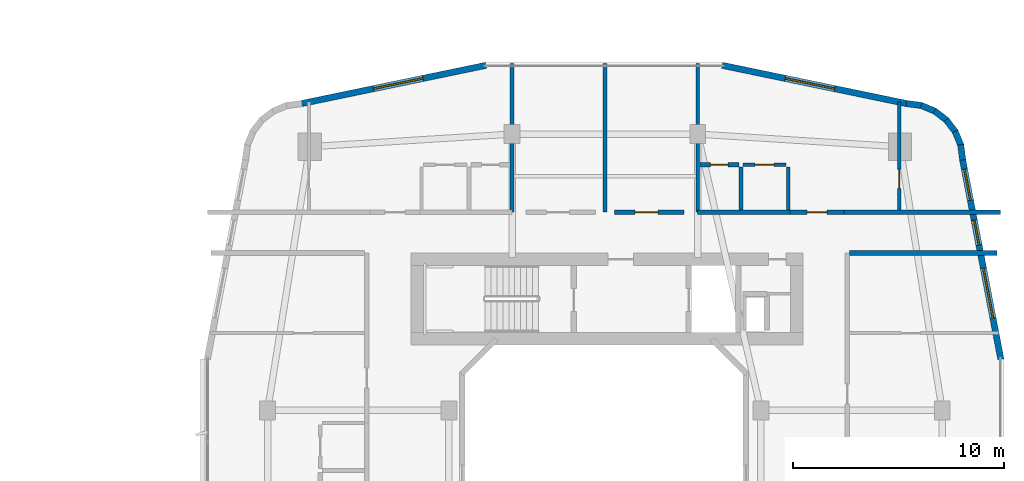
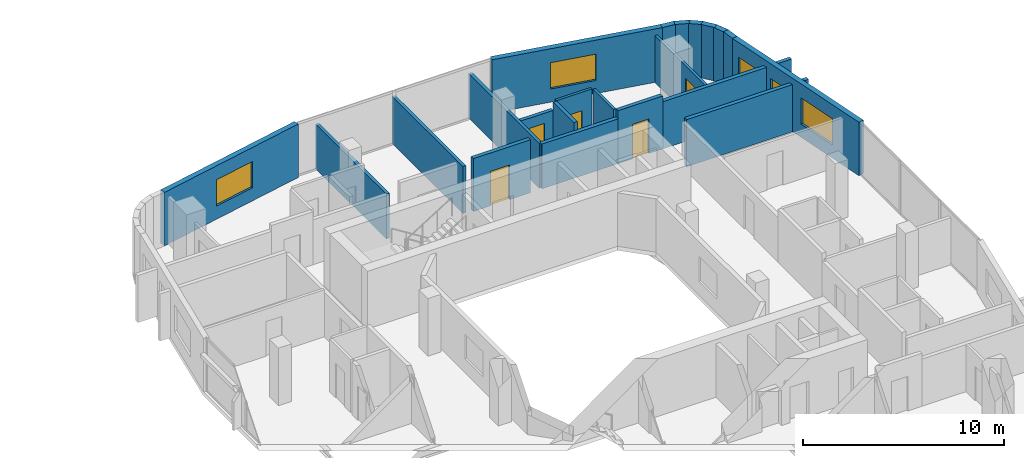
# One storey, part 21 of 27: 22 walls, 5 doors, 5 windows, 10 openings.
"""IFC4 building model written with IfcOpenShell, lengths in metres."""

from ifc_helpers import new_model, si_unit, derived_unit, direction, frame, frame_2d, origin, place, context, subcontext, project, spatial, rectangle, extrude, material, layer, layer_set, type_object, element, fill, save


model = new_model("IFC4")

# Units and contexts
model_context = context("Model", 3, precision=1e-05, world=origin(), true_north=direction((0.0, 1.0)))
body_context = subcontext(model_context, "Body", "Model", "MODEL_VIEW")
ifc_project = project(units=[si_unit("LENGTHUNIT", "METRE"), si_unit("AREAUNIT", "SQUARE_METRE"), si_unit("VOLUMEUNIT", "CUBIC_METRE"), si_unit("PLANEANGLEUNIT", "RADIAN"), si_unit("MASSUNIT", "GRAM", prefix="KILO"), derived_unit("THERMALTRANSMITTANCEUNIT", [(si_unit("POWERUNIT", "WATT"), 1), (si_unit("LENGTHUNIT", "METRE"), -2), (si_unit("THERMODYNAMICTEMPERATUREUNIT", "KELVIN"), -1)])], contexts=[model_context])

# Site, building, storey
site_placement = place(None, origin())
site = spatial("IfcSite", under=ifc_project, at=site_placement, CompositionType="ELEMENT")
building_placement = place(site_placement, origin())
building = spatial("IfcBuilding", under=site, at=building_placement, Name="Kivonza Crest Hotel", CompositionType="ELEMENT")
storey_placement = place(building_placement, frame((0.0, 0.0, 41.5)))
storey = spatial("IfcBuildingStorey", under=building, at=storey_placement, Name="L10", CompositionType="ELEMENT", Elevation=41.5)

# Walls
ifc_material_1 = material(Name="High-density acoustic masonry inter-tenancy wall", Category="masonry")
ifc_layer_1 = layer(ifc_material_1, 0.179931640625)
ifc_layer_set_1 = layer_set([ifc_layer_1], Name="High-density acoustic masonry inter-tenancy wall")
wall_type_1 = type_object("IfcWallType", Name="WL-ACOU-180", PredefinedType="SOLIDWALL", material=ifc_layer_set_1)
wall_1_placement = place(storey_placement, frame((72.60009765625, 37.89990234375, 0.0), z_axis=(0.0, 0.0, 1.0), x_axis=(0.0, 1.0, 0.0)))
element("IfcWall", 1, at=wall_1_placement, inside=storey, type_object=wall_type_1, Name="L10 interior partition WA-L10-T2N-DIV1", PredefinedType="SOLIDWALL", context=body_context, shape_type="SweptSolid", body=[
    extrude(rectangle(XDim=7.0400390625, YDim=0.179931640625, at=frame_2d((3.52001953125, 0.0))), origin(), (0.0, 0.0, 1.0), 2.72509765625),
])
wall_2_placement = place(storey_placement, frame((77.0, 37.89990234375, 0.0), z_axis=(0.0, 0.0, 1.0), x_axis=(0.0, 1.0, 0.0)))
element("IfcWall", 2, at=wall_2_placement, inside=storey, type_object=wall_type_1, Name="L10 interior partition WA-L10-T2N-OFFDIV", PredefinedType="SOLIDWALL", context=body_context, shape_type="SweptSolid", body=[
    extrude(rectangle(XDim=7.0400390625, YDim=0.179931640625, at=frame_2d((3.52001953125, 0.0))), origin(), (0.0, 0.0, 1.0), 2.864990234375),
])
wall_3_placement = place(storey_placement, frame((81.39990234375, 37.89990234375, 0.0), z_axis=(0.0, 0.0, 1.0), x_axis=(0.0, 1.0, 0.0)))
element("IfcWall", 3, at=wall_3_placement, inside=storey, type_object=wall_type_1, Name="L10 interior partition WA-L10-T2N-DIV2", PredefinedType="SOLIDWALL", context=body_context, shape_type="SweptSolid", body=[
    extrude(rectangle(XDim=7.0400390625, YDim=0.179931640625, at=frame_2d((3.52001953125, 0.0))), origin(), (0.0, 0.0, 1.0), 2.72509765625),
])

# Wall, opening, door
ifc_material_2 = material(Name="Autoclaved aerated concrete blockwork", Category="masonry")
ifc_layer_2 = layer(ifc_material_2, 0.219970703125)
ifc_layer_set_2 = layer_set([ifc_layer_2], Name="Autoclaved aerated concrete blockwork")
wall_type_2 = type_object("IfcWallType", Name="WL-ACOU-220", PredefinedType="SOLIDWALL", material=ifc_layer_set_2)
wall_4_placement = place(storey_placement, frame((77.449951171875, 37.89990234375, 0.0), z_axis=(0.0, 0.0, 1.0), x_axis=(1.0, 0.0, 0.0)))
wall_4 = element("IfcWall", 4, at=wall_4_placement, inside=storey, type_object=wall_type_2, Name="L10 interior partition WA-L10-T2-OFF2-S", PredefinedType="SOLIDWALL", context=body_context, shape_type="SweptSolid", body=[
    extrude(rectangle(XDim=3.300048828125, YDim=0.219970703125, at=frame_2d((1.64990234375, 0.0))), origin(), (0.0, 0.0, 1.0), 3.219970703125),
])
opening_1_placement = place(wall_4_placement, frame((0.97998046875, 0.0, 0.0)))
opening_1 = element("IfcOpeningElement", 5, at=opening_1_placement, cuts=wall_4, Name="Opening DF-60M", PredefinedType="OPENING", context=body_context, shape_type="SweptSolid", body=[
    extrude(rectangle(XDim=1.10009765625, YDim=2.10009765625, at=frame_2d((0.550048828125, 1.050048828125))), frame((0.0, 0.1201171875, 0.0), z_axis=(0.0, -1.0, 0.0), x_axis=(1.0, 0.0, 0.0)), (0.0, 0.0, 1.0), 0.239990234375),
])
ifc_material_3 = material(Name="Hardwood timber oak", Category="wood")
door_type_1 = type_object("IfcDoorType", Name="DR-FD60-1100", OperationType="NOTDEFINED", PredefinedType="DOOR", material=ifc_material_3)
door_1_placement = place(opening_1_placement, origin())
door_1 = element("IfcDoor", 6, at=door_1_placement, inside=storey, type_object=door_type_1, Name="L10 Resident Co-Working Study East door", OperationType="SINGLE_SWING_LEFT", OverallHeight=2.10009765625, OverallWidth=1.10009765625, PredefinedType="DOOR", context=body_context, shape_type="SweptSolid", body=[
    extrude(rectangle(XDim=1.10009765625, YDim=2.10009765625, at=frame_2d((0.550048828125, 1.050048828125))), frame((0.0, 0.02490234375, 0.0), z_axis=(0.0, -1.0, 0.0), x_axis=(1.0, 0.0, 0.0)), (0.0, 0.0, 1.0), 0.050048828125),
])
fill(opening_1, door_1)

# Walls
wall_5_placement = place(storey_placement, frame((81.39990234375, 37.89990234375, 0.0), z_axis=(0.0, 0.0, 1.0), x_axis=(1.0, 0.0, 0.0)))
element("IfcWall", 7, at=wall_5_placement, inside=storey, type_object=wall_type_2, Name="L10 interior partition WA-L10-A02-LCORR", PredefinedType="SOLIDWALL", context=body_context, shape_type="SweptSolid", body=[
    extrude(rectangle(XDim=4.380126953125, YDim=0.219970703125, at=frame_2d((2.18994140625, 0.0))), origin(), (0.0, 0.0, 1.0), 2.72509765625),
])
wall_6_placement = place(storey_placement, frame((88.35009765625, 37.89990234375, 0.0), z_axis=(0.0, 0.0, 1.0), x_axis=(1.0, 0.0, 0.0)))
element("IfcWall", 8, at=wall_6_placement, inside=storey, type_object=wall_type_2, Name="L10 interior partition WA-L10-A02-RCORR", PredefinedType="SOLIDWALL", context=body_context, shape_type="SweptSolid", body=[
    extrude(rectangle(XDim=7.409912109375, YDim=0.219970703125, at=frame_2d((3.705078125, 0.0))), origin(), (0.0, 0.0, 1.0), 2.864990234375),
])

# Wall, opening, door
wall_7_placement = place(storey_placement, frame((85.780029296875, 37.89990234375, 0.0), z_axis=(0.0, 0.0, 1.0), x_axis=(1.0, 0.0, 0.0)))
wall_7 = element("IfcWall", 9, at=wall_7_placement, inside=storey, type_object=wall_type_2, Name="L10 interior partition WA-L10-A02-MCORR", PredefinedType="SOLIDWALL", context=body_context, shape_type="SweptSolid", body=[
    extrude(rectangle(XDim=2.570068359375, YDim=0.219970703125, at=frame_2d((1.28515625, 0.0))), origin(), (0.0, 0.0, 1.0), 3.219970703125),
])
opening_2_placement = place(wall_7_placement, frame((0.81005859375, 0.0, 0.0)))
opening_2 = element("IfcOpeningElement", 10, at=opening_2_placement, cuts=wall_7, Name="Opening DU-60", PredefinedType="OPENING", context=body_context, shape_type="SweptSolid", body=[
    extrude(rectangle(XDim=0.949951171875, YDim=2.10009765625, at=frame_2d((0.47509765625, 1.050048828125))), frame((0.0, 0.1201171875, 0.0), z_axis=(0.0, -1.0, 0.0), x_axis=(1.0, 0.0, 0.0)), (0.0, 0.0, 1.0), 0.239990234375),
])
door_type_2 = type_object("IfcDoorType", Name="DR-UNIT-950", OperationType="NOTDEFINED", PredefinedType="DOOR", material=ifc_material_3)
door_2_placement = place(opening_2_placement, origin())
door_2 = element("IfcDoor", 11, at=door_2_placement, inside=storey, type_object=door_type_2, Name="L10 A02 apartment entrance fire door", OperationType="SINGLE_SWING_RIGHT", OverallHeight=2.10009765625, OverallWidth=0.949951171875, PredefinedType="DOOR", context=body_context, shape_type="SweptSolid", body=[
    extrude(rectangle(XDim=0.949951171875, YDim=2.10009765625, at=frame_2d((0.47509765625, 1.050048828125))), frame((0.0, 0.02490234375, 0.0), z_axis=(0.0, -1.0, 0.0), x_axis=(1.0, 0.0, 0.0)), (0.0, 0.0, 1.0), 0.050048828125),
])
fill(opening_2, door_2)

# Wall
wall_8_placement = place(storey_placement, frame((88.60009765625, 35.9599609375, 0.0), z_axis=(0.0, 0.0, 1.0), x_axis=(1.0, 0.0, 0.0)))
element("IfcWall", 12, at=wall_8_placement, inside=storey, type_object=wall_type_2, Name="L10 interior partition WA-L10-T2E-ENDN", PredefinedType="SOLIDWALL", context=body_context, shape_type="SweptSolid", body=[
    extrude(rectangle(XDim=7.0, YDim=0.219970703125, at=frame_2d((3.5, 0.0))), origin(), (0.0, 0.0, 1.0), 2.864990234375),
])

# Wall, openings, windows
ifc_material_4 = material(Name="Precast concrete C40/50", Category="concrete")
ifc_layer_3 = layer(ifc_material_4, 0.300048828125)
ifc_layer_set_3 = layer_set([ifc_layer_3], Name="Precast concrete C40/50")
wall_type_3 = type_object("IfcWallType", Name="WL-EXT-300", PredefinedType="STANDARD", material=ifc_layer_set_3)
wall_9_placement = place(storey_placement, frame((95.782958984375, 30.91796875, 0.0), z_axis=(0.0, 0.0, 1.0), x_axis=(-0.188087874316, 0.982152203854, 0.0)))
wall_9 = element("IfcWall", 13, at=wall_9_placement, inside=storey, type_object=wall_type_3, Name="L10 T2 exterior insulated wall 18", PredefinedType="STANDARD", context=body_context, shape_type="SweptSolid", body=[
    extrude(rectangle(XDim=9.6337890625, YDim=0.300048828125, at=frame_2d((4.81689453125, 0.0))), origin(), (0.0, 0.0, 1.0), 3.25),
])
opening_3_placement = place(wall_9_placement, frame((1.9990234375, 0.0, 0.800048828125)))
opening_3 = element("IfcOpeningElement", 14, at=opening_3_placement, cuts=wall_9, Name="Opening WN-05", PredefinedType="OPENING", context=body_context, shape_type="SweptSolid", body=[
    extrude(rectangle(XDim=2.39990234375, YDim=1.60009765625, at=frame_2d((1.199951171875, 0.800048828125))), frame((0.0, 0.16015625, 0.0), z_axis=(0.0, -1.0, 0.0), x_axis=(1.0, 0.0, 0.0)), (0.0, 0.0, 1.0), 0.320068359375),
])
opening_4_placement = place(wall_9_placement, frame((5.52099609375, 0.0, 0.85009765625)))
opening_4 = element("IfcOpeningElement", 15, at=opening_4_placement, cuts=wall_9, Name="Opening WN-01", PredefinedType="OPENING", context=body_context, shape_type="SweptSolid", body=[
    extrude(rectangle(XDim=1.199951171875, YDim=1.5, at=frame_2d((0.60009765625, 0.75))), frame((0.0, 0.16015625, 0.0), z_axis=(0.0, -1.0, 0.0), x_axis=(1.0, 0.0, 0.0)), (0.0, 0.0, 1.0), 0.320068359375),
])
opening_5_placement = place(wall_9_placement, frame((7.681884765625, 0.0, 0.85009765625)))
opening_5 = element("IfcOpeningElement", 16, at=opening_5_placement, cuts=wall_9, Name="Opening WN-02", PredefinedType="OPENING", context=body_context, shape_type="SweptSolid", body=[
    extrude(rectangle(XDim=1.5, YDim=1.5, at=frame_2d((0.75, 0.75))), frame((0.0, 0.16015625, 0.0), z_axis=(0.0, -1.0, 0.0), x_axis=(1.0, 0.0, 0.0)), (0.0, 0.0, 1.0), 0.320068359375),
])
ifc_material_5 = material(Name="Thermally broken bronze aluminium and low-E double glazing", Category="aluminium")
window_type_1 = type_object("IfcWindowType", Name="WN-120x150", PartitioningType="SINGLE_PANEL", PredefinedType="WINDOW", material=ifc_material_5)
window_1_placement = place(opening_4_placement, origin())
window_1 = element("IfcWindow", 17, at=window_1_placement, inside=storey, type_object=window_type_1, Name="L10 T2 facade window 18 bay 2", OverallHeight=1.5, OverallWidth=1.199951171875, PartitioningType="SINGLE_PANEL", PredefinedType="WINDOW", context=body_context, shape_type="SweptSolid", body=[
    extrude(rectangle(XDim=1.199951171875, YDim=1.5, at=frame_2d((0.60009765625, 0.75))), frame((0.0, 0.030029296875, 0.0), z_axis=(0.0, -1.0, 0.0), x_axis=(1.0, 0.0, 0.0)), (0.0, 0.0, 1.0), 0.06005859375),
])
fill(opening_4, window_1)
window_type_2 = type_object("IfcWindowType", Name="WN-150x150", PartitioningType="DOUBLE_PANEL_VERTICAL", PredefinedType="WINDOW", material=ifc_material_5)
window_2_placement = place(opening_5_placement, origin())
window_2 = element("IfcWindow", 18, at=window_2_placement, inside=storey, type_object=window_type_2, Name="L10 T2 facade window 18 bay 3", OverallHeight=1.5, OverallWidth=1.5, PartitioningType="SINGLE_PANEL", PredefinedType="WINDOW", context=body_context, shape_type="SweptSolid", body=[
    extrude(rectangle(XDim=1.5, YDim=1.5, at=frame_2d((0.75, 0.75))), frame((0.0, 0.030029296875, 0.0), z_axis=(0.0, -1.0, 0.0), x_axis=(1.0, 0.0, 0.0)), (0.0, 0.0, 1.0), 0.06005859375),
])
fill(opening_5, window_2)
window_type_3 = type_object("IfcWindowType", Name="WN-240x160", PartitioningType="TRIPLE_PANEL_VERTICAL", PredefinedType="WINDOW", material=ifc_material_5)
window_3_placement = place(opening_3_placement, origin())
window_3 = element("IfcWindow", 19, at=window_3_placement, inside=storey, type_object=window_type_3, Name="L10 T2 facade window 18 bay 1", OverallHeight=1.60009765625, OverallWidth=2.39990234375, PartitioningType="SINGLE_PANEL", PredefinedType="WINDOW", context=body_context, shape_type="SweptSolid", body=[
    extrude(rectangle(XDim=2.39990234375, YDim=1.60009765625, at=frame_2d((1.199951171875, 0.800048828125))), frame((0.0, 0.030029296875, 0.0), z_axis=(0.0, -1.0, 0.0), x_axis=(1.0, 0.0, 0.0)), (0.0, 0.0, 1.0), 0.06005859375),
])
fill(opening_3, window_3)

# Walls
wall_10_placement = place(storey_placement, frame((93.971923828125, 40.373046875, 0.0), z_axis=(0.0, 0.0, 1.0), x_axis=(-0.130255288807, 0.991480488834, 0.0)))
element("IfcWall", 20, at=wall_10_placement, inside=storey, type_object=wall_type_3, Name="L10 T2 exterior insulated wall 19", PredefinedType="STANDARD", context=body_context, shape_type="SweptSolid", body=[
    extrude(rectangle(XDim=0.72900390625, YDim=0.300048828125, at=frame_2d((0.364501953125, 0.0))), origin(), (0.0, 0.0, 1.0), 3.25),
])
wall_11_placement = place(storey_placement, frame((93.89599609375, 41.044921875, 0.0), z_axis=(0.0, 0.0, 1.0), x_axis=(-0.383267045233, 0.923637576129, 0.0)))
element("IfcWall", 21, at=wall_11_placement, inside=storey, type_object=wall_type_3, Name="L10 T2 exterior insulated wall 20", PredefinedType="STANDARD", context=body_context, shape_type="SweptSolid", body=[
    extrude(rectangle(XDim=0.745849609375, YDim=0.300048828125, at=frame_2d((0.373046875, 0.0))), origin(), (0.0, 0.0, 1.0), 3.25),
])
for number, where, z_axis, x_axis, name in (
    (22, (93.64111328125, 41.68896484375, 0.0), (0.0, 0.0, 1.0), (-0.608603261071, 0.793474681772, 0.0), "L10 T2 exterior insulated wall 21"),
    (23, (93.22900390625, 42.24609375, 0.0), (0.0, 0.0, 1.0), (-0.79363269798, 0.608397189915, 0.0), "L10 T2 exterior insulated wall 22"),
):
    element("IfcWall", number, at=place(storey_placement, frame(where, z_axis=z_axis, x_axis=x_axis)), inside=storey, type_object=wall_type_3, Name=name, PredefinedType="STANDARD", context=body_context, shape_type="SweptSolid", body=[
        extrude(rectangle(XDim=0.74609375, YDim=0.300048828125, at=frame_2d((0.373046875, 0.0))), origin(), (0.0, 0.0, 1.0), 3.25),
    ])
wall_12_placement = place(storey_placement, frame((92.68603515625, 42.676025390625, 0.0), z_axis=(0.0, 0.0, 1.0), x_axis=(-0.923637576129, 0.383267045233, 0.0)))
element("IfcWall", 24, at=wall_12_placement, inside=storey, type_object=wall_type_3, Name="L10 T2 exterior insulated wall 23", PredefinedType="STANDARD", context=body_context, shape_type="SweptSolid", body=[
    extrude(rectangle(XDim=0.745849609375, YDim=0.300048828125, at=frame_2d((0.373046875, 0.0))), origin(), (0.0, 0.0, 1.0), 3.25),
])
wall_13_placement = place(storey_placement, frame((92.051025390625, 42.952880859375, 0.0), z_axis=(0.0, 0.0, 1.0), x_axis=(-0.991559404866, 0.129653178221, 0.0)))
element("IfcWall", 25, at=wall_13_placement, inside=storey, type_object=wall_type_3, Name="L10 T2 exterior insulated wall 24", PredefinedType="STANDARD", context=body_context, shape_type="SweptSolid", body=[
    extrude(rectangle(XDim=0.764404296875, YDim=0.300048828125, at=frame_2d((0.38232421875, 0.0))), origin(), (0.0, 0.0, 1.0), 3.25),
])

# Wall, opening, window
wall_14_placement = place(storey_placement, frame((91.298095703125, 43.051025390625, 0.0), z_axis=(0.0, 0.0, 1.0), x_axis=(-0.979128391325, 0.203242695569, 0.0)))
wall_14 = element("IfcWall", 26, at=wall_14_placement, inside=storey, type_object=wall_type_3, Name="L10 T2 exterior insulated wall 25", PredefinedType="STANDARD", context=body_context, shape_type="SweptSolid", body=[
    extrude(rectangle(XDim=8.92041015625, YDim=0.300048828125, at=frame_2d((4.460205078125, 0.0))), origin(), (0.0, 0.0, 1.0), 3.25),
])
opening_6_placement = place(wall_14_placement, frame((3.471923828125, 0.0, 0.800048828125)))
opening_6 = element("IfcOpeningElement", 27, at=opening_6_placement, cuts=wall_14, Name="Opening WN-05", PredefinedType="OPENING", context=body_context, shape_type="SweptSolid", body=[
    extrude(rectangle(XDim=2.39990234375, YDim=1.60009765625, at=frame_2d((1.199951171875, 0.800048828125))), frame((0.0, 0.16015625, 0.0), z_axis=(0.0, -1.0, 0.0), x_axis=(1.0, 0.0, 0.0)), (0.0, 0.0, 1.0), 0.320068359375),
])
window_4_placement = place(opening_6_placement, origin())
window_4 = element("IfcWindow", 28, at=window_4_placement, inside=storey, type_object=window_type_3, Name="L10 T2 facade window 25", OverallHeight=1.60009765625, OverallWidth=2.39990234375, PartitioningType="SINGLE_PANEL", PredefinedType="WINDOW", context=body_context, shape_type="SweptSolid", body=[
    extrude(rectangle(XDim=2.39990234375, YDim=1.60009765625, at=frame_2d((1.199951171875, 0.800048828125))), frame((0.0, 0.030029296875, 0.0), z_axis=(0.0, -1.0, 0.0), x_axis=(1.0, 0.0, 0.0)), (0.0, 0.0, 1.0), 0.06005859375),
])
fill(opening_6, window_4)

wall_15_placement = place(storey_placement, frame((71.35595703125, 44.864013671875, 0.0), z_axis=(0.0, 0.0, 1.0), x_axis=(-0.979127260729, -0.203248142175, 0.0)))
wall_15 = element("IfcWall", 29, at=wall_15_placement, inside=storey, type_object=wall_type_3, Name="L10 T2 exterior insulated wall 27", PredefinedType="STANDARD", context=body_context, shape_type="SweptSolid", body=[
    extrude(rectangle(XDim=8.920166015625, YDim=0.300048828125, at=frame_2d((4.4599609375, 0.0))), origin(), (0.0, 0.0, 1.0), 3.25),
])
opening_7_placement = place(wall_15_placement, frame((3.048095703125, 0.0, 0.800048828125)))
opening_7 = element("IfcOpeningElement", 30, at=opening_7_placement, cuts=wall_15, Name="Opening WN-05", PredefinedType="OPENING", context=body_context, shape_type="SweptSolid", body=[
    extrude(rectangle(XDim=2.39990234375, YDim=1.60009765625, at=frame_2d((1.199951171875, 0.800048828125))), frame((0.0, 0.16015625, 0.0), z_axis=(0.0, -1.0, 0.0), x_axis=(1.0, 0.0, 0.0)), (0.0, 0.0, 1.0), 0.320068359375),
])
window_5_placement = place(opening_7_placement, origin())
window_5 = element("IfcWindow", 31, at=window_5_placement, inside=storey, type_object=window_type_3, Name="L10 T2 facade window 27", OverallHeight=1.60009765625, OverallWidth=2.39990234375, PartitioningType="SINGLE_PANEL", PredefinedType="WINDOW", context=body_context, shape_type="SweptSolid", body=[
    extrude(rectangle(XDim=2.39990234375, YDim=1.60009765625, at=frame_2d((1.199951171875, 0.800048828125))), frame((0.0, 0.030029296875, 0.0), z_axis=(0.0, -1.0, 0.0), x_axis=(1.0, 0.0, 0.0)), (0.0, 0.0, 1.0), 0.06005859375),
])
fill(opening_7, window_5)

# Wall, opening, door
ifc_material_6 = material(Name="Twin-stud acoustic gypsum board partition", Category="gypsum")
ifc_layer_4 = layer(ifc_material_6, 0.14990234375)
ifc_layer_set_4 = layer_set([ifc_layer_4], Name="Twin-stud acoustic gypsum board partition")
wall_type_4 = type_object("IfcWallType", Name="WL-PART-150", PredefinedType="PARTITIONING", material=ifc_layer_set_4)
wall_16_placement = place(storey_placement, frame((90.9599609375, 38.0, 0.0), z_axis=(0.0, 0.0, 1.0), x_axis=(0.0, 1.0, 0.0)))
wall_16 = element("IfcWall", 32, at=wall_16_placement, inside=storey, type_object=wall_type_4, Name="L10 interior partition WP-L10-A02-BDW1", PredefinedType="PARTITIONING", context=body_context, shape_type="SweptSolid", body=[
    extrude(rectangle(XDim=5.113037109375, YDim=0.14990234375, at=frame_2d((2.556640625, 0.0))), origin(), (0.0, 0.0, 1.0), 2.864990234375),
])
opening_8_placement = place(wall_16_placement, frame((1.030029296875, 0.0, 0.0)))
opening_8 = element("IfcOpeningElement", 33, at=opening_8_placement, cuts=wall_16, Name="Opening DI-90", PredefinedType="OPENING", context=body_context, shape_type="SweptSolid", body=[
    extrude(rectangle(XDim=0.89990234375, YDim=2.10009765625, at=frame_2d((0.449951171875, 1.050048828125))), frame((0.0, 0.0849609375, 0.0), z_axis=(0.0, -1.0, 0.0), x_axis=(1.0, 0.0, 0.0)), (0.0, 0.0, 1.0), 0.169921875),
])
door_type_3 = type_object("IfcDoorType", Name="DR-INT-900", OperationType="NOTDEFINED", PredefinedType="DOOR", material=ifc_material_3)
door_3_placement = place(opening_8_placement, origin())
door_3 = element("IfcDoor", 34, at=door_3_placement, inside=storey, type_object=door_type_3, Name="L10 A02 bedroom 1 door", OperationType="SINGLE_SWING_LEFT", OverallHeight=2.10009765625, OverallWidth=0.89990234375, PredefinedType="DOOR", context=body_context, shape_type="SweptSolid", body=[
    extrude(rectangle(XDim=0.89990234375, YDim=2.10009765625, at=frame_2d((0.449951171875, 1.050048828125))), frame((0.0, 0.02490234375, 0.0), z_axis=(0.0, -1.0, 0.0), x_axis=(1.0, 0.0, 0.0)), (0.0, 0.0, 1.0), 0.050048828125),
])
fill(opening_8, door_3)

# Wall
wall_17_placement = place(storey_placement, frame((85.699951171875, 38.0, 0.0), z_axis=(0.0, 0.0, 1.0), x_axis=(0.0, 1.0, 0.0)))
element("IfcWall", 35, at=wall_17_placement, inside=storey, type_object=wall_type_4, Name="L10 interior partition WP-L10-A02-KF", PredefinedType="PARTITIONING", context=body_context, shape_type="SweptSolid", body=[
    extrude(rectangle(XDim=2.050048828125, YDim=0.14990234375, at=frame_2d((1.02490234375, 0.0))), origin(), (0.0, 0.0, 1.0), 3.219970703125),
])

# Wall, opening, door
wall_18_placement = place(storey_placement, frame((83.550048828125, 40.14990234375, 0.0), z_axis=(0.0, 0.0, 1.0), x_axis=(1.0, 0.0, 0.0)))
wall_18 = element("IfcWall", 36, at=wall_18_placement, inside=storey, type_object=wall_type_4, Name="L10 interior partition WP-L10-A02-KSVC", PredefinedType="PARTITIONING", context=body_context, shape_type="SweptSolid", body=[
    extrude(rectangle(XDim=2.050048828125, YDim=0.14990234375, at=frame_2d((1.02490234375, 0.0))), origin(), (0.0, 0.0, 1.0), 3.219970703125),
])
opening_9_placement = place(wall_18_placement, frame((0.574951171875, 0.0, 0.0)))
opening_9 = element("IfcOpeningElement", 37, at=opening_9_placement, cuts=wall_18, Name="Opening DI-90", PredefinedType="OPENING", context=body_context, shape_type="SweptSolid", body=[
    extrude(rectangle(XDim=0.89990234375, YDim=2.10009765625, at=frame_2d((0.449951171875, 1.050048828125))), frame((0.0, 0.0849609375, 0.0), z_axis=(0.0, -1.0, 0.0), x_axis=(1.0, 0.0, 0.0)), (0.0, 0.0, 1.0), 0.169921875),
])
door_4_placement = place(opening_9_placement, origin())
door_4 = element("IfcDoor", 38, at=door_4_placement, inside=storey, type_object=door_type_3, Name="L10 A02 apartment kitchen door", OperationType="SINGLE_SWING_RIGHT", OverallHeight=2.10009765625, OverallWidth=0.89990234375, PredefinedType="DOOR", context=body_context, shape_type="SweptSolid", body=[
    extrude(rectangle(XDim=0.89990234375, YDim=2.10009765625, at=frame_2d((0.449951171875, 1.050048828125))), frame((0.0, 0.02490234375, 0.0), z_axis=(0.0, -1.0, 0.0), x_axis=(1.0, 0.0, 0.0)), (0.0, 0.0, 1.0), 0.050048828125),
])
fill(opening_9, door_4)

# Wall
ifc_material_7 = material(Name="Moisture-resistant plumbing chase partition wall", Category="gypsum")
ifc_layer_5 = layer(ifc_material_7, 0.199951171875)
ifc_layer_set_5 = layer_set([ifc_layer_5], Name="Moisture-resistant plumbing chase partition wall")
wall_type_5 = type_object("IfcWallType", Name="WL-PLUMB-200", PredefinedType="PLUMBINGWALL", material=ifc_layer_set_5)
wall_19_placement = place(storey_placement, frame((83.449951171875, 38.0, 0.0), z_axis=(0.0, 0.0, 1.0), x_axis=(0.0, 1.0, 0.0)))
element("IfcWall", 39, at=wall_19_placement, inside=storey, type_object=wall_type_5, Name="L10 interior partition WW-L10-A02-BK", PredefinedType="PLUMBINGWALL", context=body_context, shape_type="SweptSolid", body=[
    extrude(rectangle(XDim=2.050048828125, YDim=0.199951171875, at=frame_2d((1.02490234375, 0.0))), origin(), (0.0, 0.0, 1.0), 3.219970703125),
])

# Wall, opening, door
wall_20_placement = place(storey_placement, frame((81.5, 40.14990234375, 0.0), z_axis=(0.0, 0.0, 1.0), x_axis=(1.0, 0.0, 0.0)))
wall_20 = element("IfcWall", 40, at=wall_20_placement, inside=storey, type_object=wall_type_5, Name="L10 interior partition WW-L10-A02-BSVC", PredefinedType="PLUMBINGWALL", context=body_context, shape_type="SweptSolid", body=[
    extrude(rectangle(XDim=1.85009765625, YDim=0.199951171875, at=frame_2d((0.925048828125, 0.0))), origin(), (0.0, 0.0, 1.0), 2.72509765625),
])
opening_10_placement = place(wall_20_placement, frame((0.5, 0.0, 0.0)))
opening_10 = element("IfcOpeningElement", 41, at=opening_10_placement, cuts=wall_20, Name="Opening DI-85", PredefinedType="OPENING", context=body_context, shape_type="SweptSolid", body=[
    extrude(rectangle(XDim=0.85009765625, YDim=2.10009765625, at=frame_2d((0.425048828125, 1.050048828125))), frame((0.0, 0.10986328125, 0.0), z_axis=(0.0, -1.0, 0.0), x_axis=(1.0, 0.0, 0.0)), (0.0, 0.0, 1.0), 0.219970703125),
])
door_type_4 = type_object("IfcDoorType", Name="DR-INT-850", OperationType="NOTDEFINED", PredefinedType="DOOR", material=ifc_material_3)
door_5_placement = place(opening_10_placement, origin())
door_5 = element("IfcDoor", 42, at=door_5_placement, inside=storey, type_object=door_type_4, Name="L10 A02 apartment bathroom door", OperationType="SINGLE_SWING_LEFT", OverallHeight=2.10009765625, OverallWidth=0.85009765625, PredefinedType="DOOR", context=body_context, shape_type="SweptSolid", body=[
    extrude(rectangle(XDim=0.85009765625, YDim=2.10009765625, at=frame_2d((0.425048828125, 1.050048828125))), frame((0.0, 0.02490234375, 0.0), z_axis=(0.0, -1.0, 0.0), x_axis=(1.0, 0.0, 0.0)), (0.0, 0.0, 1.0), 0.050048828125),
])
fill(opening_10, door_5)

save(model, "model.ifc")
